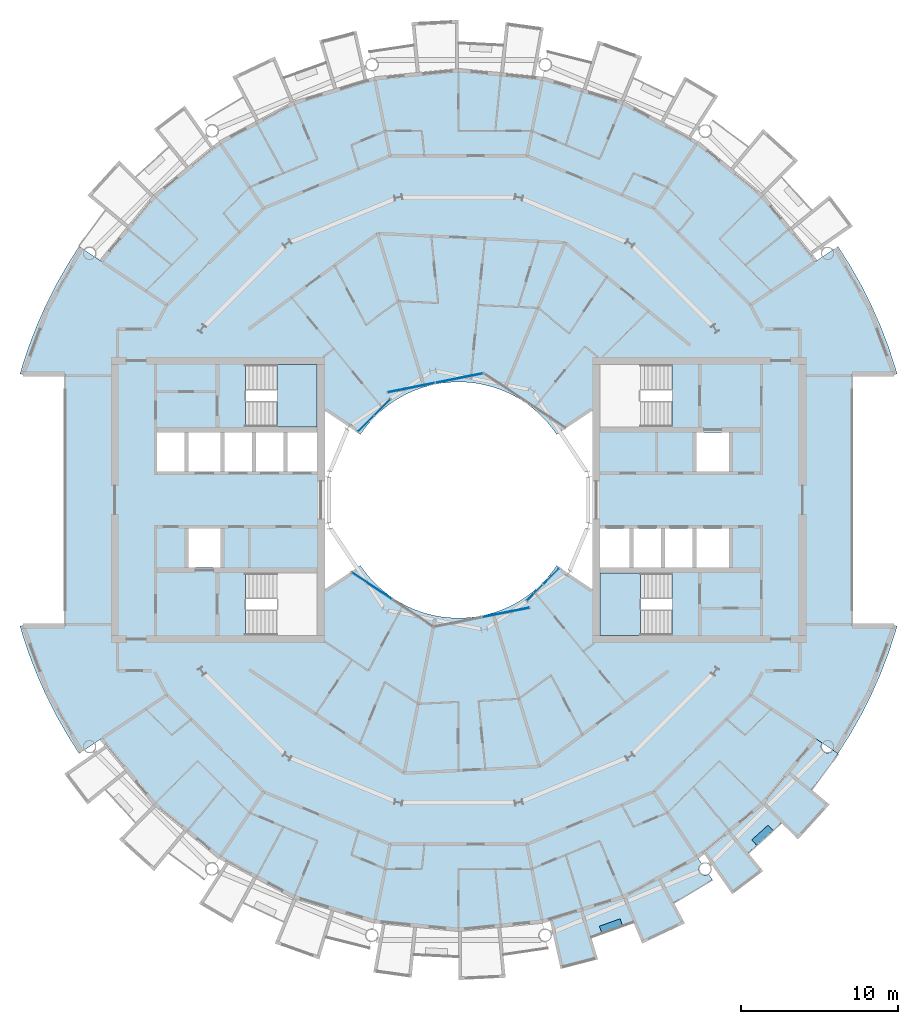
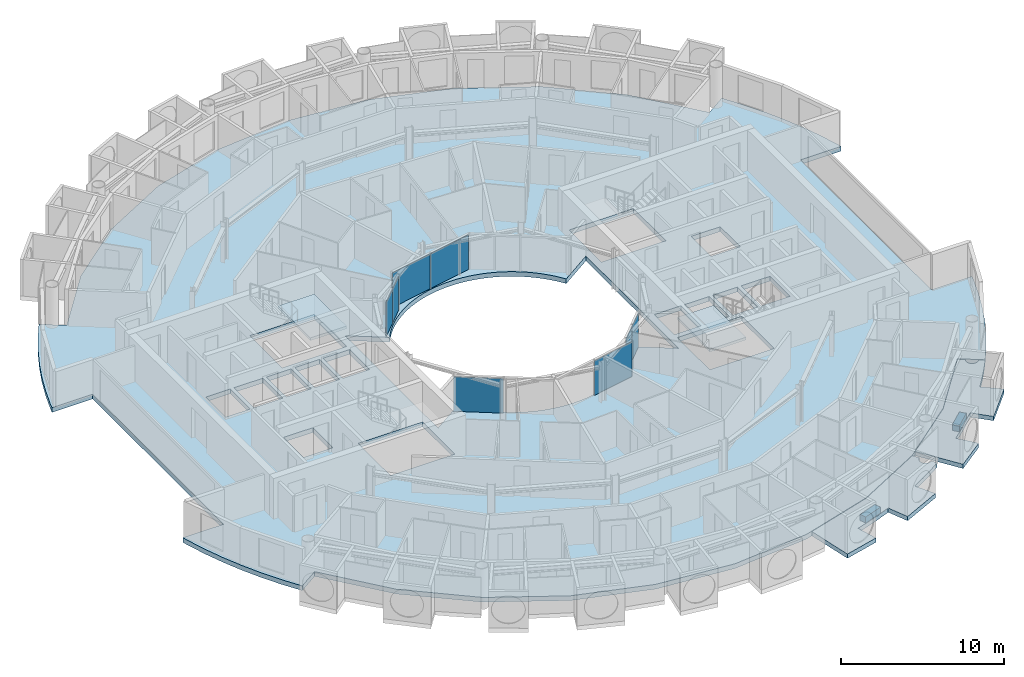
# One storey, part 11 of 27: 8 plates, 7 slabs, 7 elements without a shape of their own.
"""IFC4 building model written with IfcOpenShell, lengths in metres."""

from ifc_helpers import new_model, si_unit, direction, frame, origin, origin_2d, place, context, subcontext, project, spatial, polyline, rectangle, outline, extrude, material, layer, layer_set, type_object, element, aggregate, save


model = new_model("IFC4")

# Units and contexts
model_context = context("Model", 3, precision=1e-05, world=origin(), true_north=direction((0.0, 1.0)))
body_context = subcontext(model_context, "Body", "Model", "MODEL_VIEW")
ifc_project = project(units=[si_unit("LENGTHUNIT", "METRE"), si_unit("AREAUNIT", "SQUARE_METRE"), si_unit("VOLUMEUNIT", "CUBIC_METRE"), si_unit("PLANEANGLEUNIT", "RADIAN"), si_unit("MASSUNIT", "GRAM", prefix="KILO")], contexts=[model_context])

# Site, building, storey
site_placement = place(None, origin())
site = spatial("IfcSite", under=ifc_project, at=site_placement, CompositionType="ELEMENT")
building_placement = place(site_placement, origin())
building = spatial("IfcBuilding", under=site, at=building_placement, Name="Maasbend Ring Residences", CompositionType="ELEMENT")
storey_placement = place(building_placement, frame((0.0, 0.0, 167.699951171875)))
storey = spatial("IfcBuildingStorey", under=building, at=storey_placement, Name="L48", CompositionType="ELEMENT", Elevation=167.699951171875)

# Stair, slab
ifc_material_1 = material(Name="Concrete C40/50", Category="concrete")
stair_type = type_object("IfcStairType", Name="CORE STAIR 18 RISERS", PredefinedType="HALF_TURN_STAIR", material=ifc_material_1)
stair_1_placement = place(storey_placement, origin())
stair_1 = element("IfcStair", 1, at=stair_1_placement, inside=storey, type_object=stair_type, Name="L48 Exit stair ST-E2", PredefinedType="HALF_TURN_STAIR")
ifc_material_2 = material(Name="Concrete C40/50", Category="concrete")
ifc_layer_1 = layer(ifc_material_2, 0.199951171875)
ifc_layer_set_1 = layer_set([ifc_layer_1], Name="Concrete C40/50")
slab_type_1 = type_object("IfcSlabType", Name="CORE STAIR LANDING 200", PredefinedType="LANDING", material=ifc_layer_set_1)
slab_1_placement = place(storey_placement, frame((0.0, 0.0, 1.324951171875)))
slab_1 = element("IfcSlab", 2, at=slab_1_placement, type_object=slab_type_1, Name="ST-E2 landing 1", PredefinedType="LANDING", context=body_context, shape_type="SweptSolid", body=[
    extrude(outline(polyline([(11.550048828125, -4.64990234375), (9.0, -4.64990234375), (9.0, -8.60009765625), (11.550048828125, -8.60009765625), (11.550048828125, -4.64990234375)])), origin(), (0.0, 0.0, 1.0), 0.2001953125),
])
aggregate(stair_1, [slab_1])

stair_2_placement = place(storey_placement, origin())
stair_2 = element("IfcStair", 3, at=stair_2_placement, inside=storey, type_object=stair_type, Name="L48 Exit stair ST-W2", PredefinedType="HALF_TURN_STAIR")
slab_2_placement = place(storey_placement, frame((0.0, 0.0, 1.324951171875)))
slab_2 = element("IfcSlab", 4, at=slab_2_placement, type_object=slab_type_1, Name="ST-W2 landing 1", PredefinedType="LANDING", context=body_context, shape_type="SweptSolid", body=[
    extrude(outline(polyline([(-11.550048828125, 4.64990234375), (-9.0, 4.64990234375), (-9.0, 8.60009765625), (-11.550048828125, 8.60009765625), (-11.550048828125, 4.64990234375)])), origin(), (0.0, 0.0, 1.0), 0.2001953125),
])
aggregate(stair_2, [slab_2])

# Curtain wall, plates
ifc_material_3 = material(Name="Aluminium and clear glass", Category="aluminium")
ifc_layer_2 = layer(ifc_material_3, 0.179931640625)
ifc_layer_set_2 = layer_set([ifc_layer_2], Name="CW-W")
curtain_wall_type = type_object("IfcCurtainWallType", Name="CW-W", PredefinedType="NOTDEFINED", material=ifc_layer_set_2)
curtain_wall_1_placement = place(storey_placement, origin())
curtain_wall_1 = element("IfcCurtainWall", 5, at=curtain_wall_1_placement, inside=storey, type_object=curtain_wall_type, Name="Well curtain wall N2", PredefinedType="NOTDEFINED")
ifc_material_4 = material(Name="Glass clear laminated", Category="glass")
ifc_layer_3 = layer(ifc_material_4, 0.031982421875)
ifc_layer_set_3 = layer_set([ifc_layer_3], Name="CWP-W")
plate_type = type_object("IfcPlateType", Name="CWP-W", PredefinedType="CURTAIN_PANEL", material=ifc_layer_set_3)
plate_1_placement = place(storey_placement, frame((0.04638671875, 7.747802734375, 0.0), z_axis=(0.0, 0.0, 1.0), x_axis=(-0.980785280403, -0.195090322016, 0.0)))
plate_1 = element("IfcPlate", 6, at=plate_1_placement, type_object=plate_type, Name="Glass panel well face", PredefinedType="CURTAIN_PANEL", context=body_context, shape_type="SweptSolid", body=[
    extrude(rectangle(XDim=3.053955078125, YDim=0.031982421875, at=origin_2d()), origin(), (0.0, 0.0, 1.0), 2.580078125),
])
plate_2_placement = place(storey_placement, frame((-3.0078125, 7.140380859375, 0.0), z_axis=(0.0, 0.0, 1.0), x_axis=(-0.980785280403, -0.195090322016, 0.0)))
plate_2 = element("IfcPlate", 7, at=plate_2_placement, type_object=plate_type, Name="Glass panel well face", PredefinedType="CURTAIN_PANEL", context=body_context, shape_type="SweptSolid", body=[
    extrude(rectangle(XDim=3.053955078125, YDim=0.031982421875, at=origin_2d()), origin(), (0.0, 0.0, 1.0), 2.580078125),
])
aggregate(curtain_wall_1, [plate_1, plate_2])

curtain_wall_2_placement = place(storey_placement, origin())
curtain_wall_2 = element("IfcCurtainWall", 8, at=curtain_wall_2_placement, inside=storey, type_object=curtain_wall_type, Name="Well curtain wall N3", PredefinedType="NOTDEFINED")
plate_3_placement = place(storey_placement, frame((-4.84375, 5.89013671875, 0.0), z_axis=(0.0, 0.0, 1.0), x_axis=(-0.707106781187, -0.707106781187, 0.0)))
plate_3 = element("IfcPlate", 9, at=plate_3_placement, type_object=plate_type, Name="Glass panel well face", PredefinedType="CURTAIN_PANEL", context=body_context, shape_type="SweptSolid", body=[
    extrude(rectangle(XDim=1.419677734375, YDim=0.031982421875, at=origin_2d()), origin(), (0.0, 0.0, 1.0), 2.580078125),
])
plate_4_placement = place(storey_placement, frame((-5.89013671875, 4.84375, 0.0), z_axis=(0.0, 0.0, 1.0), x_axis=(-0.707106781187, -0.707106781187, 0.0)))
plate_4 = element("IfcPlate", 10, at=plate_4_placement, type_object=plate_type, Name="Glass panel well face", PredefinedType="CURTAIN_PANEL", context=body_context, shape_type="SweptSolid", body=[
    extrude(rectangle(XDim=1.419677734375, YDim=0.031982421875, at=origin_2d()), origin(), (0.0, 0.0, 1.0), 2.580078125),
])
aggregate(curtain_wall_2, [plate_3, plate_4])

# Curtain wall, plate
curtain_wall_3_placement = place(storey_placement, origin())
curtain_wall_3 = element("IfcCurtainWall", 11, at=curtain_wall_3_placement, inside=storey, type_object=curtain_wall_type, Name="Well curtain wall S1", PredefinedType="NOTDEFINED")
plate_5_placement = place(storey_placement, frame((-5.51123046875, -5.44580078125, 0.0), z_axis=(0.0, 0.0, 1.0), x_axis=(0.831469612303, -0.55557023302, 0.0)))
plate_5 = element("IfcPlate", 12, at=plate_5_placement, type_object=plate_type, Name="Glass panel well face", PredefinedType="CURTAIN_PANEL", context=body_context, shape_type="SweptSolid", body=[
    extrude(rectangle(XDim=3.053955078125, YDim=0.031982421875, at=origin_2d()), origin(), (0.0, 0.0, 1.0), 2.580078125),
])
aggregate(curtain_wall_3, [plate_5])

curtain_wall_4_placement = place(storey_placement, origin())
curtain_wall_4 = element("IfcCurtainWall", 13, at=curtain_wall_4_placement, inside=storey, type_object=curtain_wall_type, Name="Well curtain wall S2", PredefinedType="NOTDEFINED")
plate_6_placement = place(storey_placement, frame((3.0078125, -7.140380859375, 0.0), z_axis=(0.0, 0.0, 1.0), x_axis=(0.980785280403, 0.195090322016, 0.0)))
plate_6 = element("IfcPlate", 14, at=plate_6_placement, type_object=plate_type, Name="Glass panel well face", PredefinedType="CURTAIN_PANEL", context=body_context, shape_type="SweptSolid", body=[
    extrude(rectangle(XDim=3.053955078125, YDim=0.031982421875, at=origin_2d()), origin(), (0.0, 0.0, 1.0), 2.580078125),
])
aggregate(curtain_wall_4, [plate_6])

# Curtain wall, plates
curtain_wall_5_placement = place(storey_placement, origin())
curtain_wall_5 = element("IfcCurtainWall", 15, at=curtain_wall_5_placement, inside=storey, type_object=curtain_wall_type, Name="Well curtain wall S3", PredefinedType="NOTDEFINED")
plate_7_placement = place(storey_placement, frame((4.84375, -5.89013671875, 0.0), z_axis=(0.0, 0.0, 1.0), x_axis=(0.707106781187, 0.707106781187, 0.0)))
plate_7 = element("IfcPlate", 16, at=plate_7_placement, type_object=plate_type, Name="Glass panel well face", PredefinedType="CURTAIN_PANEL", context=body_context, shape_type="SweptSolid", body=[
    extrude(rectangle(XDim=1.419677734375, YDim=0.031982421875, at=origin_2d()), origin(), (0.0, 0.0, 1.0), 2.580078125),
])
plate_8_placement = place(storey_placement, frame((5.89013671875, -4.84375, 0.0), z_axis=(0.0, 0.0, 1.0), x_axis=(0.707106781187, 0.707106781187, 0.0)))
plate_8 = element("IfcPlate", 17, at=plate_8_placement, type_object=plate_type, Name="Glass panel well face", PredefinedType="CURTAIN_PANEL", context=body_context, shape_type="SweptSolid", body=[
    extrude(rectangle(XDim=1.419677734375, YDim=0.031982421875, at=origin_2d()), origin(), (0.0, 0.0, 1.0), 2.580078125),
])
aggregate(curtain_wall_5, [plate_7, plate_8])

# Slabs
ifc_material_5 = material(Name="Planting with climbing greenery")
ifc_layer_4 = layer(ifc_material_5, 0.449951171875)
ifc_layer_set_4 = layer_set([ifc_layer_4], Name="PLANTER-LG")
slab_type_2 = type_object("IfcSlabType", Name="PLANTER-LG", PredefinedType="USERDEFINED", material=ifc_layer_set_4)
slab_3_placement = place(storey_placement, frame((0.0, 0.0, -0.030029296875)))
element("IfcSlab", 18, at=slab_3_placement, inside=storey, type_object=slab_type_2, Name="Planter with climbing greenery 4", ObjectType="PLANTER", PredefinedType="USERDEFINED", context=body_context, shape_type="SweptSolid", body=[
    extrude(outline(polyline([(9.09912109375, -27.508056640625), (10.4169921875, -27.035888671875), (10.26611328125, -26.612060546875), (8.947021484375, -27.083984375), (9.09912109375, -27.508056640625)])), origin(), (0.0, 0.0, 1.0), 0.4501953125),
])
slab_4_placement = place(storey_placement, frame((0.0, 0.0, -0.030029296875)))
element("IfcSlab", 19, at=slab_4_placement, inside=storey, type_object=slab_type_2, Name="Planter with climbing greenery 5", ObjectType="PLANTER", PredefinedType="USERDEFINED", context=body_context, shape_type="SweptSolid", body=[
    extrude(outline(polyline([(18.93310546875, -21.931884765625), (19.969970703125, -20.991943359375), (19.66796875, -20.657958984375), (18.631103515625, -21.597900390625), (18.93310546875, -21.931884765625)])), origin(), (0.0, 0.0, 1.0), 0.4501953125),
])
ifc_material_6 = material(Name="Concrete C40/50", Category="concrete")
ifc_layer_5 = layer(ifc_material_6, 0.35009765625)
ifc_layer_set_5 = layer_set([ifc_layer_5], Name="Concrete C40/50")
slab_type_3 = type_object("IfcSlabType", Name="Post-tensioned flat plate 350", PredefinedType="FLOOR", material=ifc_layer_set_5)
slab_5_placement = place(storey_placement, frame((0.0, 0.0, -0.349853515625)))
element("IfcSlab", 20, at=slab_5_placement, inside=storey, type_object=slab_type_3, Name="Floor slab L48", PredefinedType="FLOOR", context=body_context, shape_type="SweptSolid", body=[
    extrude(outline(polyline([(24.8740234375, -14.908935546875), (25.57568359375, -13.67041015625), (26.2158203125, -12.399169921875), (26.79248046875, -11.097900390625), (27.3046875, -9.769775390625), (27.751220703125, -8.418212890625), (27.866943359375, -8.0), (25.0, -8.0), (25.0, 8.0), (27.866943359375, 8.0), (27.751220703125, 8.418212890625), (27.3046875, 9.769775390625), (26.79248046875, 11.097900390625), (26.2158203125, 12.399169921875), (25.57568359375, 13.67041015625), (24.8740234375, 14.908935546875), (24.112548828125, 16.111572265625), (22.69921875, 15.1669921875), (19.303955078125, 19.303955078125), (15.1669921875, 22.69921875), (10.447265625, 25.221923828125), (5.325927734375, 26.775390625), (0.0, 27.300048828125), (-5.325927734375, 26.775390625), (-10.447265625, 25.221923828125), (-15.1669921875, 22.69921875), (-19.303955078125, 19.303955078125), (-22.69921875, 15.1669921875), (-24.112548828125, 16.111572265625), (-24.8740234375, 14.908935546875), (-25.57568359375, 13.67041015625), (-26.2158203125, 12.399169921875), (-26.79248046875, 11.097900390625), (-27.3046875, 9.769775390625), (-27.751220703125, 8.418212890625), (-27.866943359375, 8.0), (-25.0, 8.0), (-25.0, -8.0), (-27.866943359375, -8.0), (-27.751220703125, -8.418212890625), (-27.3046875, -9.769775390625), (-26.79248046875, -11.097900390625), (-26.2158203125, -12.399169921875), (-25.57568359375, -13.67041015625), (-24.8740234375, -14.908935546875), (-24.112548828125, -16.111572265625), (-22.69921875, -15.1669921875), (-19.303955078125, -19.303955078125), (-15.1669921875, -22.69921875), (-10.447265625, -25.221923828125), (-5.325927734375, -26.775390625), (0.0, -27.300048828125), (5.325927734375, -26.775390625), (10.447265625, -25.221923828125), (15.1669921875, -22.69921875), (19.303955078125, -19.303955078125), (22.69921875, -15.1669921875), (24.112548828125, -16.111572265625), (24.8740234375, -14.908935546875)]), holes=[polyline([(15.125, 1.824951171875), (15.125, 4.27490234375), (17.175048828125, 4.27490234375), (17.175048828125, 1.824951171875), (15.125, 1.824951171875)]), polyline([(15.125, -4.27490234375), (15.125, -1.824951171875), (17.175048828125, -1.824951171875), (17.175048828125, -4.27490234375), (15.125, -4.27490234375)]), polyline([(13.125, -4.27490234375), (13.125, -1.824951171875), (14.875, -1.824951171875), (14.875, -4.27490234375), (13.125, -4.27490234375)]), polyline([(13.550048828125, 8.60009765625), (13.550048828125, 4.64990234375), (9.0, 4.64990234375), (9.0, 8.60009765625), (13.550048828125, 8.60009765625)]), polyline([(13.550048828125, -4.64990234375), (13.550048828125, -8.60009765625), (9.0, -8.60009765625), (9.0, -4.64990234375), (13.550048828125, -4.64990234375)]), polyline([(11.125, -4.27490234375), (11.125, -1.824951171875), (12.875, -1.824951171875), (12.875, -4.27490234375), (11.125, -4.27490234375)]), polyline([(9.0, -4.27490234375), (9.0, -1.824951171875), (10.875, -1.824951171875), (10.875, -4.27490234375), (9.0, -4.27490234375)]), polyline([(6.024169921875, 4.4677734375), (6.236083984375, 4.166748046875), (8.5, 5.679443359375), (8.5, -5.679443359375), (6.236083984375, -4.166748046875), (6.024169921875, -4.4677734375), (5.797607421875, -4.7578125), (5.55712890625, -5.03662109375), (5.30322265625, -5.30322265625), (5.03662109375, -5.55712890625), (4.7578125, -5.797607421875), (4.4677734375, -6.024169921875), (4.166748046875, -6.236083984375), (3.855712890625, -6.43310546875), (3.535400390625, -6.614501953125), (3.206787109375, -6.77978515625), (2.8701171875, -6.92919921875), (2.526611328125, -7.0615234375), (2.177001953125, -7.177001953125), (1.822509765625, -7.275146484375), (1.463134765625, -7.35595703125), (1.1005859375, -7.418701171875), (0.735107421875, -7.4638671875), (0.367919921875, -7.490966796875), (0.0, -7.5), (-0.367919921875, -7.490966796875), (-0.735107421875, -7.4638671875), (-1.1005859375, -7.418701171875), (-1.463134765625, -7.35595703125), (-1.822509765625, -7.275146484375), (-2.177001953125, -7.177001953125), (-2.526611328125, -7.0615234375), (-2.8701171875, -6.92919921875), (-3.206787109375, -6.77978515625), (-3.535400390625, -6.614501953125), (-3.855712890625, -6.43310546875), (-4.166748046875, -6.236083984375), (-4.4677734375, -6.024169921875), (-4.7578125, -5.797607421875), (-5.03662109375, -5.55712890625), (-5.30322265625, -5.30322265625), (-5.55712890625, -5.03662109375), (-5.797607421875, -4.7578125), (-6.024169921875, -4.4677734375), (-6.236083984375, -4.166748046875), (-8.5, -5.679443359375), (-8.5, 5.679443359375), (-6.236083984375, 4.166748046875), (-6.024169921875, 4.4677734375), (-5.797607421875, 4.7578125), (-5.55712890625, 5.03662109375), (-5.30322265625, 5.30322265625), (-5.03662109375, 5.55712890625), (-4.7578125, 5.797607421875), (-4.4677734375, 6.024169921875), (-4.166748046875, 6.236083984375), (-3.855712890625, 6.43310546875), (-3.535400390625, 6.614501953125), (-3.206787109375, 6.77978515625), (-2.8701171875, 6.92919921875), (-2.526611328125, 7.0615234375), (-2.177001953125, 7.177001953125), (-1.822509765625, 7.275146484375), (-1.463134765625, 7.35595703125), (-1.1005859375, 7.418701171875), (-0.735107421875, 7.4638671875), (-0.367919921875, 7.490966796875), (0.0, 7.5), (0.367919921875, 7.490966796875), (0.735107421875, 7.4638671875), (1.1005859375, 7.418701171875), (1.463134765625, 7.35595703125), (1.822509765625, 7.275146484375), (2.177001953125, 7.177001953125), (2.526611328125, 7.0615234375), (2.8701171875, 6.92919921875), (3.206787109375, 6.77978515625), (3.535400390625, 6.614501953125), (3.855712890625, 6.43310546875), (4.166748046875, 6.236083984375), (4.4677734375, 6.024169921875), (4.7578125, 5.797607421875), (5.03662109375, 5.55712890625), (5.30322265625, 5.30322265625), (5.55712890625, 5.03662109375), (5.797607421875, 4.7578125), (6.024169921875, 4.4677734375)]), polyline([(-13.550048828125, 4.64990234375), (-13.550048828125, 8.60009765625), (-9.0, 8.60009765625), (-9.0, 4.64990234375), (-13.550048828125, 4.64990234375)]), polyline([(-9.0, -8.60009765625), (-13.550048828125, -8.60009765625), (-13.550048828125, -4.64990234375), (-9.0, -4.64990234375), (-9.0, -8.60009765625)]), polyline([(-9.0, 4.27490234375), (-9.0, 1.824951171875), (-10.875, 1.824951171875), (-10.875, 4.27490234375), (-9.0, 4.27490234375)]), polyline([(-11.125, 4.27490234375), (-11.125, 1.824951171875), (-12.875, 1.824951171875), (-12.875, 4.27490234375), (-11.125, 4.27490234375)]), polyline([(-13.125, 4.27490234375), (-13.125, 1.824951171875), (-14.875, 1.824951171875), (-14.875, 4.27490234375), (-13.125, 4.27490234375)]), polyline([(-15.125, 4.27490234375), (-15.125, 1.824951171875), (-17.175048828125, 1.824951171875), (-17.175048828125, 4.27490234375), (-15.125, 4.27490234375)]), polyline([(-15.125, -1.824951171875), (-15.125, -4.27490234375), (-17.175048828125, -4.27490234375), (-17.175048828125, -1.824951171875), (-15.125, -1.824951171875)]), polyline([(-17.425048828125, 4.27490234375), (-17.425048828125, 1.824951171875), (-19.14990234375, 1.824951171875), (-19.14990234375, 4.27490234375), (-17.425048828125, 4.27490234375)])]), origin(), (0.0, 0.0, 1.0), 0.349853515625),
])
ifc_material_7 = material(Name="Concrete C40/50", Category="concrete")
ifc_layer_6 = layer(ifc_material_7, 0.199951171875)
ifc_layer_set_6 = layer_set([ifc_layer_6], Name="Concrete C40/50")
slab_type_4 = type_object("IfcSlabType", Name="SL-LOGGIA", PredefinedType="FLOOR", material=ifc_layer_set_6)
slab_6_placement = place(storey_placement, frame((0.0, 0.0, -0.349853515625)))
element("IfcSlab", 21, at=slab_6_placement, inside=storey, type_object=slab_type_4, Name="Loggia floor 1", PredefinedType="FLOOR", context=body_context, shape_type="SweptSolid", body=[
    extrude(outline(polyline([(10.447021484375, -25.221923828125), (12.806884765625, -23.9609375), (15.1669921875, -22.698974609375), (15.1669921875, -22.698974609375), (15.1669921875, -22.698974609375), (15.44091796875, -23.10888671875), (15.43310546875, -23.114990234375), (15.425048828125, -23.12109375), (15.4169921875, -23.126953125), (15.408935546875, -23.133056640625), (15.402099609375, -23.139892578125), (15.39404296875, -23.14599609375), (15.386962890625, -23.153076171875), (15.3798828125, -23.159912109375), (15.373046875, -23.1669921875), (15.365966796875, -23.174072265625), (15.35888671875, -23.181884765625), (15.35302734375, -23.18994140625), (15.346923828125, -23.197021484375), (15.341064453125, -23.205078125), (15.3349609375, -23.212890625), (15.3291015625, -23.221923828125), (15.323974609375, -23.22998046875), (15.318115234375, -23.238037109375), (15.31298828125, -23.2470703125), (15.30908203125, -23.256103515625), (15.303955078125, -23.264892578125), (15.300048828125, -23.27392578125), (15.294921875, -23.282958984375), (15.2919921875, -23.2919921875), (15.2880859375, -23.301025390625), (15.283935546875, -23.31005859375), (15.281005859375, -23.320068359375), (15.278076171875, -23.3291015625), (15.27490234375, -23.339111328125), (15.27294921875, -23.34912109375), (15.27001953125, -23.35791015625), (15.26806640625, -23.367919921875), (15.26708984375, -23.3779296875), (15.264892578125, -23.387939453125), (15.263916015625, -23.39794921875), (15.262939453125, -23.407958984375), (15.261962890625, -23.4169921875), (15.260986328125, -23.427001953125), (15.260986328125, -23.43701171875), (15.260986328125, -23.447021484375), (15.260986328125, -23.45703125), (15.260986328125, -23.467041015625), (15.261962890625, -23.47705078125), (15.262939453125, -23.487060546875), (15.263916015625, -23.4970703125), (15.264892578125, -23.507080078125), (15.26708984375, -23.51708984375), (15.26806640625, -23.527099609375), (15.27001953125, -23.535888671875), (15.27294921875, -23.5458984375), (15.27490234375, -23.555908203125), (15.278076171875, -23.56494140625), (15.281005859375, -23.574951171875), (15.283935546875, -23.583984375), (15.2880859375, -23.593994140625), (15.2919921875, -23.60302734375), (15.294921875, -23.612060546875), (15.300048828125, -23.62109375), (15.303955078125, -23.6298828125), (15.30908203125, -23.638916015625), (15.31298828125, -23.64794921875), (15.318115234375, -23.656005859375), (15.323974609375, -23.6650390625), (15.3291015625, -23.673095703125), (15.3349609375, -23.680908203125), (15.341064453125, -23.68994140625), (15.346923828125, -23.697021484375), (15.35302734375, -23.705078125), (15.35888671875, -23.712890625), (15.365966796875, -23.719970703125), (15.373046875, -23.72802734375), (15.3798828125, -23.735107421875), (15.386962890625, -23.741943359375), (15.39404296875, -23.7490234375), (15.402099609375, -23.7548828125), (15.408935546875, -23.761962890625), (15.4169921875, -23.76806640625), (15.425048828125, -23.77392578125), (15.43310546875, -23.780029296875), (15.44091796875, -23.784912109375), (15.449951171875, -23.791015625), (15.4580078125, -23.7958984375), (15.467041015625, -23.801025390625), (15.47509765625, -23.805908203125), (15.48388671875, -23.81005859375), (15.492919921875, -23.81494140625), (15.501953125, -23.819091796875), (15.511962890625, -23.822998046875), (15.52099609375, -23.826904296875), (15.530029296875, -23.830078125), (15.5400390625, -23.8330078125), (15.549072265625, -23.8359375), (15.55908203125, -23.839111328125), (15.568115234375, -23.842041015625), (15.577880859375, -23.843994140625), (15.587890625, -23.845947265625), (15.597900390625, -23.847900390625), (15.60693359375, -23.85009765625), (15.616943359375, -23.85107421875), (15.626953125, -23.85205078125), (15.636962890625, -23.85302734375), (15.64697265625, -23.85302734375), (15.656982421875, -23.85400390625), (15.6669921875, -23.85400390625), (15.677001953125, -23.85400390625), (15.68701171875, -23.85302734375), (15.697021484375, -23.85302734375), (15.70703125, -23.85205078125), (15.717041015625, -23.85107421875), (15.72705078125, -23.85009765625), (15.737060546875, -23.847900390625), (15.74609375, -23.845947265625), (15.756103515625, -23.843994140625), (15.76611328125, -23.842041015625), (15.77587890625, -23.839111328125), (15.784912109375, -23.8359375), (15.794921875, -23.8330078125), (15.803955078125, -23.830078125), (15.81298828125, -23.826904296875), (15.822998046875, -23.822998046875), (15.83203125, -23.819091796875), (15.841064453125, -23.81494140625), (15.85009765625, -23.81005859375), (15.85888671875, -23.805908203125), (15.866943359375, -23.801025390625), (15.8759765625, -23.7958984375), (15.885009765625, -23.791015625), (15.89306640625, -23.784912109375), (16.112060546875, -24.113037109375), (16.112060546875, -24.113037109375), (16.112060546875, -24.113037109375), (15.31396484375, -24.626953125), (15.31396484375, -24.626953125), (14.5, -25.114990234375), (14.5, -25.114990234375), (13.6708984375, -25.574951171875), (13.6708984375, -25.575927734375), (13.6708984375, -25.575927734375), (13.6708984375, -25.575927734375), (13.6708984375, -25.575927734375), (13.6708984375, -25.575927734375), (13.6708984375, -25.575927734375), (13.6708984375, -25.575927734375), (13.6708984375, -25.575927734375), (13.6708984375, -25.575927734375), (13.6708984375, -25.575927734375), (13.6708984375, -25.575927734375), (13.6708984375, -25.575927734375), (13.6708984375, -25.575927734375), (13.6708984375, -25.575927734375), (13.6708984375, -25.575927734375), (13.6708984375, -25.575927734375), (14.3779296875, -26.89892578125), (14.3779296875, -26.89892578125), (14.3779296875, -26.89892578125), (11.672119140625, -28.177978515625), (11.672119140625, -28.177978515625), (11.672119140625, -28.177978515625), (11.097900390625, -26.79296875), (11.097900390625, -26.79296875), (11.097900390625, -26.79296875), (11.097900390625, -26.79296875), (11.097900390625, -26.79296875), (11.097900390625, -26.79296875), (11.097900390625, -26.79296875), (11.097900390625, -26.79296875), (11.097900390625, -26.79296875), (11.097900390625, -26.79296875), (11.097900390625, -26.79296875), (11.097900390625, -26.79296875), (11.097900390625, -26.79296875), (11.097900390625, -26.79296875), (11.096923828125, -26.79296875), (11.096923828125, -26.79296875), (11.096923828125, -26.79296875), (10.215087890625, -27.14111328125), (10.215087890625, -27.14111328125), (9.322021484375, -27.4609375), (9.322021484375, -27.4609375), (8.4189453125, -27.7509765625), (8.4189453125, -27.7509765625), (8.4189453125, -27.7509765625), (8.4189453125, -27.7509765625), (8.4189453125, -27.7509765625), (8.4189453125, -27.7509765625), (8.41796875, -27.7509765625), (8.41796875, -27.7509765625), (8.41796875, -27.7509765625), (8.41796875, -27.7509765625), (8.41796875, -27.7509765625), (8.41796875, -27.751953125), (8.41796875, -27.751953125), (8.41796875, -27.751953125), (8.41796875, -27.751953125), (8.41796875, -27.751953125), (8.41796875, -27.751953125), (8.85400390625, -29.18701171875), (8.85400390625, -29.18701171875), (8.85400390625, -29.18701171875), (6.487060546875, -29.802001953125), (6.487060546875, -29.802001953125), (6.487060546875, -29.802001953125), (5.797119140625, -26.633056640625), (5.797119140625, -26.633056640625), (5.797119140625, -26.633056640625), (7.886962890625, -25.9990234375), (10.447021484375, -25.221923828125), (10.447021484375, -25.221923828125), (10.447021484375, -25.221923828125)])), origin(), (0.0, 0.0, 1.0), 0.31982421875),
])
slab_7_placement = place(storey_placement, frame((0.0, 0.0, -0.349853515625)))
element("IfcSlab", 22, at=slab_7_placement, inside=storey, type_object=slab_type_4, Name="Loggia floor 4", PredefinedType="FLOOR", context=body_context, shape_type="SweptSolid", body=[
    extrude(outline(polyline([(19.303955078125, -19.303955078125), (21.001953125, -17.236083984375), (22.698974609375, -15.1669921875), (22.698974609375, -15.1669921875), (22.698974609375, -15.1669921875), (23.10888671875, -15.44091796875), (23.10888671875, -15.44091796875), (23.10400390625, -15.449951171875), (23.09912109375, -15.4580078125), (23.093994140625, -15.467041015625), (23.089111328125, -15.47509765625), (23.083984375, -15.48388671875), (23.080078125, -15.492919921875), (23.075927734375, -15.501953125), (23.072021484375, -15.511962890625), (23.068115234375, -15.52099609375), (23.06494140625, -15.530029296875), (23.06103515625, -15.5400390625), (23.05810546875, -15.549072265625), (23.055908203125, -15.55908203125), (23.052978515625, -15.568115234375), (23.051025390625, -15.577880859375), (23.049072265625, -15.587890625), (23.047119140625, -15.597900390625), (23.044921875, -15.60693359375), (23.0439453125, -15.616943359375), (23.04296875, -15.626953125), (23.0419921875, -15.636962890625), (23.041015625, -15.64697265625), (23.041015625, -15.656982421875), (23.041015625, -15.6669921875), (23.041015625, -15.677001953125), (23.041015625, -15.68701171875), (23.0419921875, -15.697021484375), (23.04296875, -15.70703125), (23.0439453125, -15.717041015625), (23.044921875, -15.72705078125), (23.047119140625, -15.737060546875), (23.049072265625, -15.74609375), (23.051025390625, -15.756103515625), (23.052978515625, -15.76611328125), (23.055908203125, -15.77587890625), (23.05810546875, -15.784912109375), (23.06103515625, -15.794921875), (23.06494140625, -15.803955078125), (23.068115234375, -15.81298828125), (23.072021484375, -15.822998046875), (23.075927734375, -15.83203125), (23.080078125, -15.841064453125), (23.083984375, -15.85009765625), (23.089111328125, -15.85888671875), (23.093994140625, -15.866943359375), (23.09912109375, -15.8759765625), (23.10400390625, -15.885009765625), (23.10888671875, -15.89306640625), (23.114990234375, -15.90087890625), (23.12109375, -15.908935546875), (23.126953125, -15.9169921875), (23.133056640625, -15.925048828125), (23.139892578125, -15.93310546875), (23.14599609375, -15.93994140625), (23.153076171875, -15.947021484375), (23.159912109375, -15.955078125), (23.1669921875, -15.9619140625), (23.174072265625, -15.968017578125), (23.181884765625, -15.97509765625), (23.18994140625, -15.98095703125), (23.197021484375, -15.988037109375), (23.205078125, -15.993896484375), (23.212890625, -15.9990234375), (23.221923828125, -16.0048828125), (23.22998046875, -16.010986328125), (23.238037109375, -16.01611328125), (23.2470703125, -16.02099609375), (23.256103515625, -16.02587890625), (23.264892578125, -16.030029296875), (23.27392578125, -16.034912109375), (23.282958984375, -16.0390625), (23.2919921875, -16.04296875), (23.301025390625, -16.0458984375), (23.31005859375, -16.050048828125), (23.320068359375, -16.052978515625), (23.3291015625, -16.055908203125), (23.339111328125, -16.05908203125), (23.34912109375, -16.06103515625), (23.35791015625, -16.06396484375), (23.367919921875, -16.06591796875), (23.3779296875, -16.068115234375), (23.387939453125, -16.069091796875), (23.39794921875, -16.071044921875), (23.407958984375, -16.072021484375), (23.4169921875, -16.072021484375), (23.427001953125, -16.072998046875), (23.43701171875, -16.072998046875), (23.447021484375, -16.073974609375), (23.45703125, -16.072998046875), (23.467041015625, -16.072998046875), (23.47705078125, -16.072021484375), (23.487060546875, -16.072021484375), (23.4970703125, -16.071044921875), (23.507080078125, -16.069091796875), (23.51708984375, -16.068115234375), (23.527099609375, -16.06591796875), (23.535888671875, -16.06396484375), (23.5458984375, -16.06103515625), (23.555908203125, -16.05908203125), (23.56494140625, -16.055908203125), (23.574951171875, -16.052978515625), (23.583984375, -16.050048828125), (23.593994140625, -16.0458984375), (23.60302734375, -16.04296875), (23.612060546875, -16.0390625), (23.62109375, -16.034912109375), (23.6298828125, -16.030029296875), (23.638916015625, -16.02587890625), (23.64794921875, -16.02099609375), (23.656005859375, -16.01611328125), (23.6650390625, -16.010986328125), (23.673095703125, -16.0048828125), (23.680908203125, -15.9990234375), (23.68994140625, -15.993896484375), (23.697021484375, -15.988037109375), (23.705078125, -15.98095703125), (23.712890625, -15.97509765625), (23.719970703125, -15.968017578125), (23.72802734375, -15.9619140625), (23.735107421875, -15.955078125), (23.741943359375, -15.947021484375), (23.7490234375, -15.93994140625), (23.7548828125, -15.93310546875), (23.761962890625, -15.925048828125), (23.76806640625, -15.9169921875), (23.77392578125, -15.908935546875), (23.780029296875, -15.90087890625), (23.784912109375, -15.89306640625), (23.784912109375, -15.89306640625), (24.113037109375, -16.112060546875), (24.113037109375, -16.112060546875), (24.113037109375, -16.112060546875), (23.572998046875, -16.89208984375), (23.572998046875, -16.89208984375), (23.007080078125, -17.654052734375), (23.007080078125, -17.654052734375), (22.41796875, -18.39697265625), (22.41796875, -18.39697265625), (22.41796875, -18.39697265625), (22.41796875, -18.39697265625), (22.41796875, -18.39697265625), (22.41796875, -18.39697265625), (22.41796875, -18.39697265625), (22.41796875, -18.39697265625), (22.41796875, -18.39697265625), (22.41796875, -18.39697265625), (22.41796875, -18.39697265625), (22.41796875, -18.39794921875), (22.41796875, -18.39794921875), (22.41796875, -18.39794921875), (22.41796875, -18.39794921875), (22.41796875, -18.39794921875), (22.41796875, -18.39794921875), (23.576904296875, -19.34912109375), (23.576904296875, -19.34912109375), (23.576904296875, -19.34912109375), (21.56689453125, -21.56689453125), (21.56689453125, -21.56689453125), (21.56689453125, -21.56689453125), (20.506103515625, -20.506103515625), (20.506103515625, -20.506103515625), (20.506103515625, -20.506103515625), (20.506103515625, -20.506103515625), (20.506103515625, -20.506103515625), (20.506103515625, -20.506103515625), (20.506103515625, -20.506103515625), (20.506103515625, -20.506103515625), (20.506103515625, -20.506103515625), (20.506103515625, -20.506103515625), (20.506103515625, -20.506103515625), (20.506103515625, -20.506103515625), (20.506103515625, -20.506103515625), (20.506103515625, -20.506103515625), (20.506103515625, -20.506103515625), (20.506103515625, -20.506103515625), (20.506103515625, -20.506103515625), (19.823974609375, -21.166015625), (19.823974609375, -21.166015625), (19.12109375, -21.802978515625), (19.12109375, -21.802978515625), (18.39794921875, -22.4169921875), (18.39794921875, -22.4169921875), (18.39794921875, -22.4169921875), (18.39794921875, -22.4169921875), (18.39794921875, -22.4169921875), (18.39794921875, -22.4169921875), (18.39794921875, -22.4169921875), (18.39794921875, -22.4169921875), (18.39794921875, -22.4169921875), (18.39794921875, -22.4169921875), (18.39794921875, -22.4169921875), (18.39794921875, -22.4169921875), (18.39794921875, -22.41796875), (18.39794921875, -22.41796875), (18.39794921875, -22.41796875), (18.39794921875, -22.41796875), (18.39794921875, -22.41796875), (19.34912109375, -23.576904296875), (19.34912109375, -23.576904296875), (19.34912109375, -23.576904296875), (17.39794921875, -25.051025390625), (17.39794921875, -25.051025390625), (17.39794921875, -25.051025390625), (15.547119140625, -22.386962890625), (15.547119140625, -22.386962890625), (15.547119140625, -22.386962890625), (17.236083984375, -21.001953125), (19.303955078125, -19.303955078125), (19.303955078125, -19.303955078125), (19.303955078125, -19.303955078125)])), origin(), (0.0, 0.0, 1.0), 0.31982421875),
])

save(model, "model.ifc")
